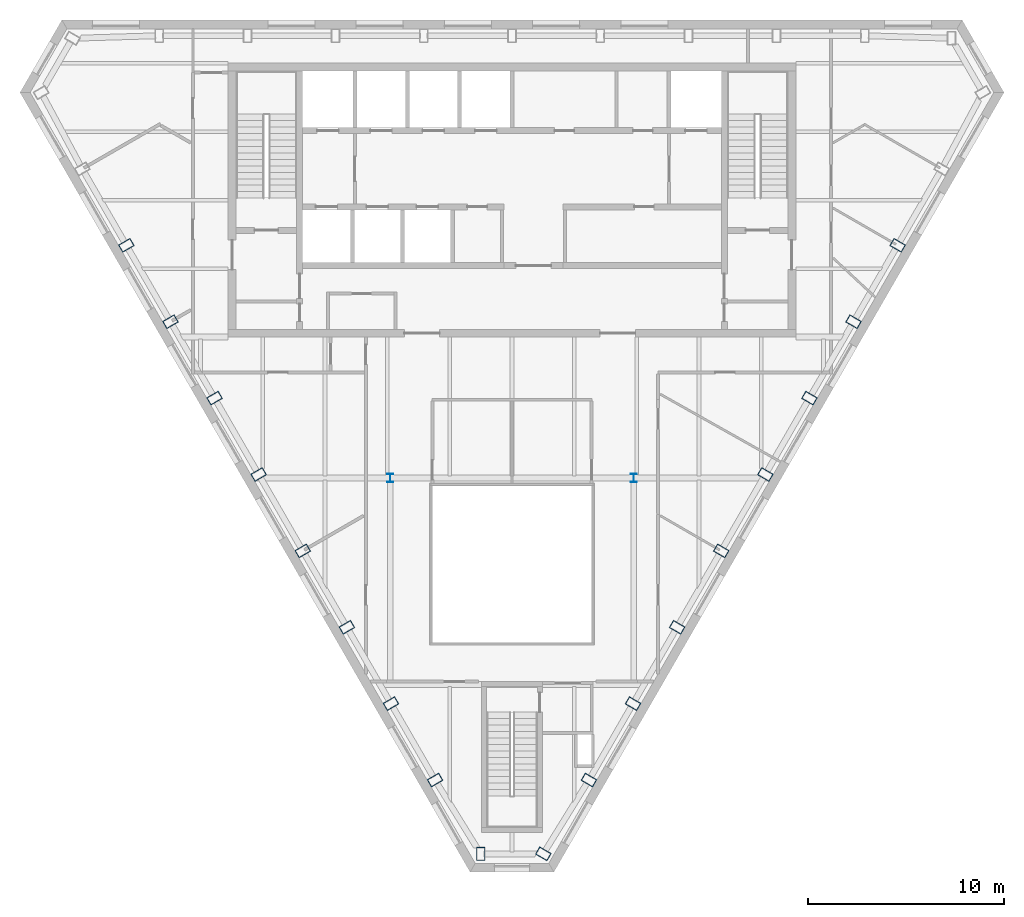
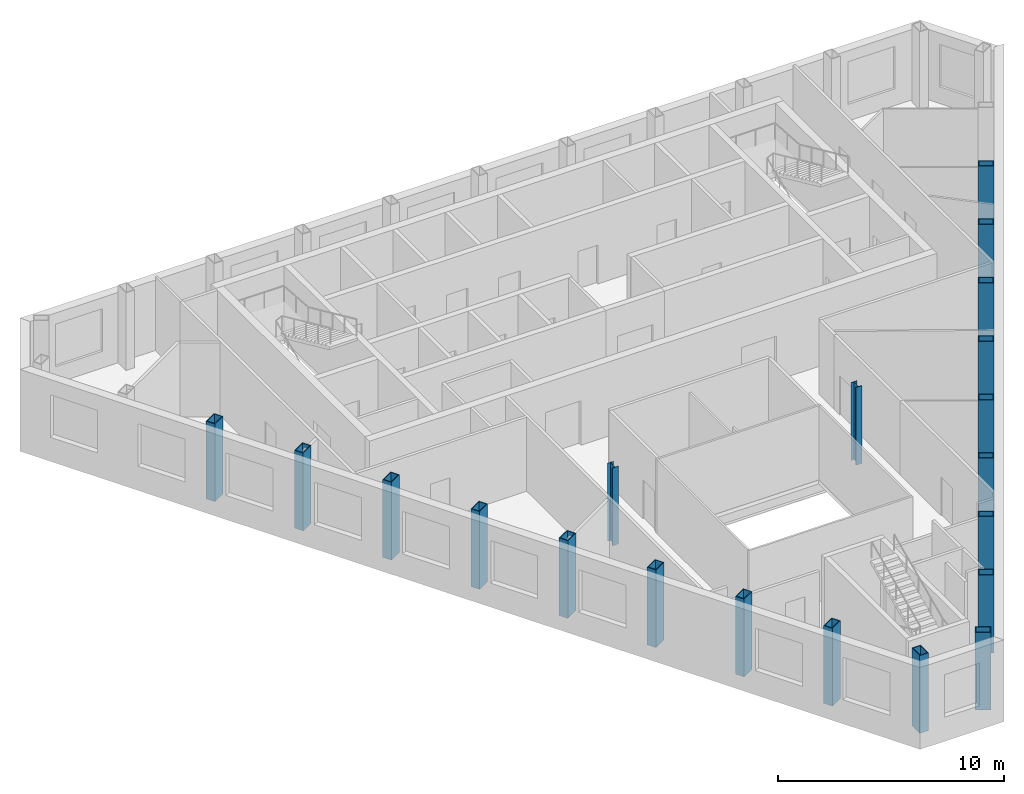
# One storey, part 1 of 9: 20 columns.
"""IFC4 building model written with IfcOpenShell, lengths in metres."""

from ifc_helpers import new_model, si_unit, direction, frame, origin, origin_2d, place, context, subcontext, project, spatial, hollow_rectangle, i_section, extrude, material, material_profile, profile_set, type_object, element, save


model = new_model("IFC4")

# Units and contexts
model_context = context("Model", 3, precision=1e-05, world=origin(), true_north=direction((0.0, 1.0)))
body_context = subcontext(model_context, "Body", "Model", "MODEL_VIEW")
ifc_project = project(units=[si_unit("LENGTHUNIT", "METRE"), si_unit("AREAUNIT", "SQUARE_METRE"), si_unit("VOLUMEUNIT", "CUBIC_METRE"), si_unit("PLANEANGLEUNIT", "RADIAN"), si_unit("MASSUNIT", "GRAM", prefix="KILO")], contexts=[model_context])

# Site, building, storey
site_placement = place(None, origin())
site = spatial("IfcSite", under=ifc_project, at=site_placement, CompositionType="ELEMENT")
building_placement = place(site_placement, origin())
building = spatial("IfcBuilding", under=site, at=building_placement, Name="Njiva Tower", CompositionType="ELEMENT")
storey_placement = place(building_placement, frame((0.0, 0.0, 325.2)))
storey = spatial("IfcBuildingStorey", under=building, at=storey_placement, Name="L74", CompositionType="ELEMENT", Elevation=325.2)

# Columns
ifc_material = material(Name="Steel S355 J2", Category="steel")
ifc_material_profile_1 = material_profile(ifc_material, hollow_rectangle(XDim=0.45, YDim=0.7, WallThickness=0.04, at=origin_2d()), Name="BOX 700x450x40")
ifc_profile_set_1 = profile_set([ifc_material_profile_1], Name="Steel S355 J2")
column_type_1 = type_object("IfcColumnType", Name="C15 Perimeter tube column BOX 700x450x40", PredefinedType="COLUMN", material=ifc_profile_set_1)
for number, where, z_axis, x_axis, name in (
    (1, (-19.705, 8.688, 0.0), (0.0, 0.0, 1.0), (0.5, -0.866025403784, 0.0), "Perimeter tube column S25-C14"),
    (2, (-17.451, 4.785, 0.0), (0.0, 0.0, 1.0), (0.5, -0.866025403784, 0.0), "Perimeter tube column S25-C15"),
    (3, (-15.198, 0.882, 0.0), (0.0, 0.0, 1.0), (0.5, -0.866025403784, 0.0), "Perimeter tube column S25-C16"),
    (4, (-12.945, -3.021, 0.0), (0.0, 0.0, 1.0), (0.5, -0.866025403784, 0.0), "Perimeter tube column S25-C17"),
    (5, (-10.691, -6.924, 0.0), (0.0, 0.0, 1.0), (0.5, -0.866025403784, 0.0), "Perimeter tube column S25-C18"),
    (6, (-8.438, -10.827, 0.0), (0.0, 0.0, 1.0), (0.5, -0.866025403784, 0.0), "Perimeter tube column S25-C19"),
    (7, (-6.185, -14.729, 0.0), (0.0, 0.0, 1.0), (0.5, -0.866025403784, 0.0), "Perimeter tube column S25-C20"),
    (8, (-3.931, -18.632, 0.0), (0.0, 0.0, 1.0), (0.5, -0.866025403784, 0.0), "Perimeter tube column S25-C21"),
    (9, (-1.601, -22.402, 0.0), (0.0, 0.0, 1.0), (1.0, 0.0, 0.0), "Perimeter tube column S25-C22"),
    (10, (1.601, -22.402, 0.0), (0.0, 0.0, 1.0), (0.5, 0.866025403784, 0.0), "Perimeter tube column S25-C23"),
    (11, (3.931, -18.632, 0.0), (0.0, 0.0, 1.0), (0.5, 0.866025403784, 0.0), "Perimeter tube column S25-C24"),
    (12, (6.185, -14.729, 0.0), (0.0, 0.0, 1.0), (0.5, 0.866025403784, 0.0), "Perimeter tube column S25-C25"),
    (13, (8.438, -10.827, 0.0), (0.0, 0.0, 1.0), (0.5, 0.866025403784, 0.0), "Perimeter tube column S25-C26"),
    (14, (10.691, -6.924, 0.0), (0.0, 0.0, 1.0), (0.5, 0.866025403784, 0.0), "Perimeter tube column S25-C27"),
    (15, (12.945, -3.021, 0.0), (0.0, 0.0, 1.0), (0.5, 0.866025403784, 0.0), "Perimeter tube column S25-C28"),
    (16, (15.198, 0.882, 0.0), (0.0, 0.0, 1.0), (0.5, 0.866025403784, 0.0), "Perimeter tube column S25-C29"),
    (17, (17.451, 4.785, 0.0), (0.0, 0.0, 1.0), (0.5, 0.866025403784, 0.0), "Perimeter tube column S25-C30"),
    (18, (19.705, 8.688, 0.0), (0.0, 0.0, 1.0), (0.5, 0.866025403784, 0.0), "Perimeter tube column S25-C31"),
):
    element("IfcColumn", number, at=place(storey_placement, frame(where, z_axis=z_axis, x_axis=x_axis)), inside=storey, type_object=column_type_1, Name=name, PredefinedType="COLUMN", context=body_context, shape_type="SweptSolid", body=[
        extrude(hollow_rectangle(XDim=0.45, YDim=0.7, WallThickness=0.04, at=origin_2d()), origin(), (0.0, 0.0, 1.0), 4.2),
    ])
ifc_material_profile_2 = material_profile(ifc_material, i_section(OverallWidth=0.3, OverallDepth=0.45, WebThickness=0.014, FlangeThickness=0.026, at=origin_2d()), Name="HEB 450")
ifc_profile_set_2 = profile_set([ifc_material_profile_2], Name="Steel S355 J2")
column_type_2 = type_object("IfcColumnType", Name="C16 Interior column HEB 450", PredefinedType="COLUMN", material=ifc_profile_set_2)
for number, where, z_axis, x_axis, name in (
    (19, (6.22, -3.2, 0.0), (0.0, 0.0, 1.0), (1.0, 0.0, 0.0), "Interior column S25-C34"),
    (20, (-6.22, -3.2, 0.0), (0.0, 0.0, 1.0), (1.0, 0.0, 0.0), "Interior column S25-C35"),
):
    element("IfcColumn", number, at=place(storey_placement, frame(where, z_axis=z_axis, x_axis=x_axis)), inside=storey, type_object=column_type_2, Name=name, PredefinedType="COLUMN", context=body_context, shape_type="SweptSolid", body=[
        extrude(i_section(OverallWidth=0.3, OverallDepth=0.45, WebThickness=0.014, FlangeThickness=0.026, at=origin_2d()), origin(), (0.0, 0.0, 1.0), 4.2),
    ])

save(model, "model.ifc")
